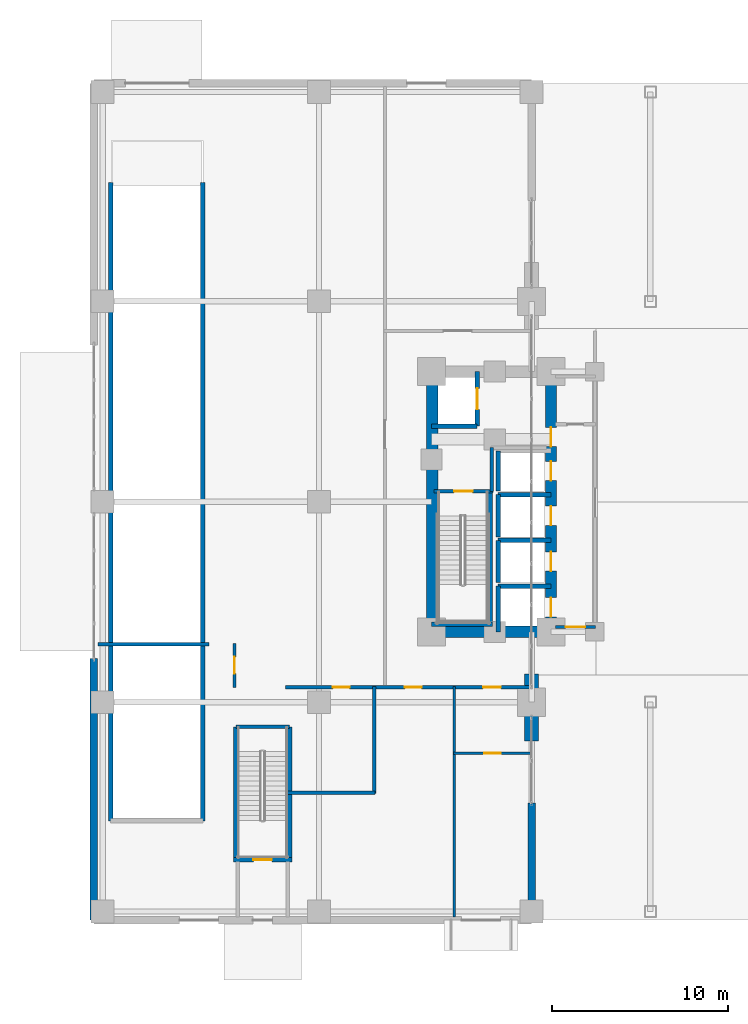
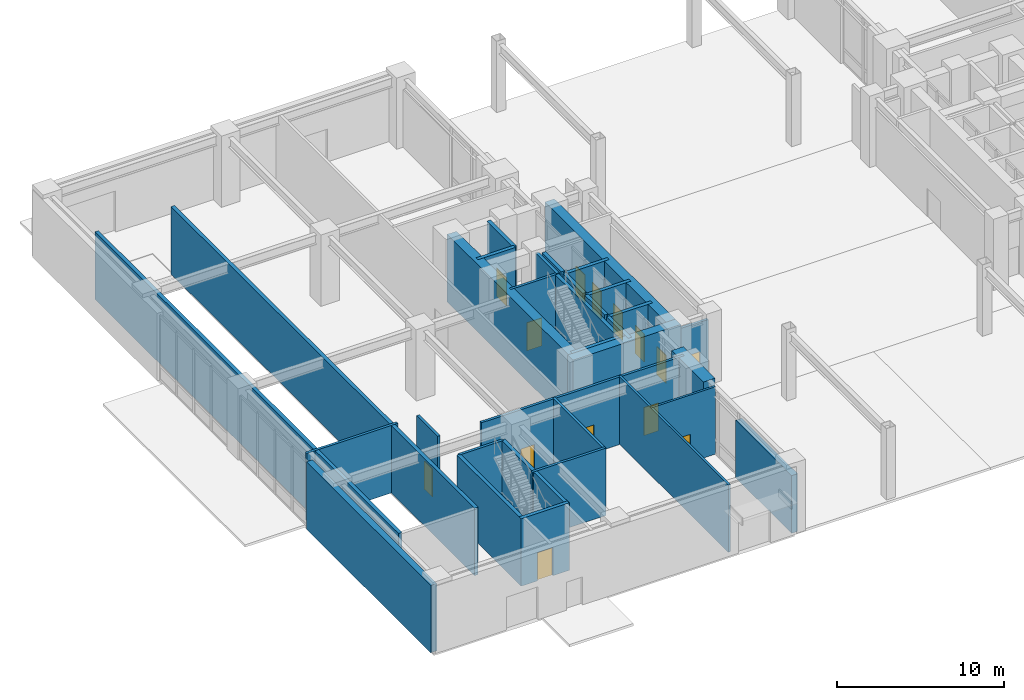
# One storey, part 17 of 23: 33 walls, 14 doors, 14 openings.
"""IFC4 building model written with IfcOpenShell, lengths in metres."""

from ifc_helpers import new_model, si_unit, direction, frame, frame_2d, origin, place, context, subcontext, project, spatial, rectangle, extrude, material, layer, layer_set, type_object, element, fill, save


model = new_model("IFC4")

# Units and contexts
model_context = context("Model", 3, precision=1e-05, world=origin(), true_north=direction((0.0, 1.0)))
body_context = subcontext(model_context, "Body", "Model", "MODEL_VIEW")
ifc_project = project(units=[si_unit("LENGTHUNIT", "METRE"), si_unit("AREAUNIT", "SQUARE_METRE"), si_unit("VOLUMEUNIT", "CUBIC_METRE"), si_unit("PLANEANGLEUNIT", "RADIAN"), si_unit("MASSUNIT", "GRAM", prefix="KILO")], contexts=[model_context])

# Site, building, storey
site_placement = place(None, origin())
site = spatial("IfcSite", under=ifc_project, at=site_placement, CompositionType="ELEMENT")
building_placement = place(site_placement, origin())
building = spatial("IfcBuilding", under=site, at=building_placement, Name="Voryun Gate Residences", CompositionType="ELEMENT")
storey_placement = place(building_placement, origin())
storey = spatial("IfcBuildingStorey", under=building, at=storey_placement, Name="L00", CompositionType="ELEMENT", Elevation=0.0)

# Walls
ifc_material_1 = material(Name="Concrete C60/75", Category="concrete")
ifc_layer_1 = layer(ifc_material_1, 0.64990234375, Name="CW_CORE_650")
ifc_layer_set_1 = layer_set([ifc_layer_1], Name="Concrete C60/75")
wall_type_1 = type_object("IfcWallType", Name="CW_CORE_650", PredefinedType="SHEAR", material=ifc_layer_set_1)
wall_1_placement = place(storey_placement, frame((-19.52490234375, -7.39990234375, 0.0), z_axis=(0.0, 0.0, 1.0), x_axis=(1.0, 0.0, 0.0)))
element("IfcWall", 1, at=wall_1_placement, inside=storey, type_object=wall_type_1, Name="L00 Core shear wall CW-L00-WS", PredefinedType="SHEAR", context=body_context, shape_type="SweptSolid", body=[
    extrude(rectangle(XDim=7.449951171875, YDim=0.64990234375, at=frame_2d((3.72509765625, 0.0))), origin(), (0.0, 0.0, 1.0), 4.919921875),
])
wall_2_placement = place(storey_placement, frame((-19.14501953125, -7.39990234375, 0.0), z_axis=(0.0, 0.0, 1.0), x_axis=(0.0, 1.0, 0.0)))
element("IfcWall", 2, at=wall_2_placement, inside=storey, type_object=wall_type_1, Name="L00 Core shear wall CW-L00-WW", PredefinedType="SHEAR", context=body_context, shape_type="SweptSolid", body=[
    extrude(rectangle(XDim=14.7998046875, YDim=0.64990234375, at=frame_2d((7.39990234375, 0.0))), origin(), (0.0, 0.0, 1.0), 4.919921875),
])

# Wall, openings, doors
wall_3_placement = place(storey_placement, frame((-12.39990234375, -7.39990234375, 0.0), z_axis=(0.0, 0.0, 1.0), x_axis=(0.0, 1.0, 0.0)))
wall_3 = element("IfcWall", 3, at=wall_3_placement, inside=storey, type_object=wall_type_1, Name="L00 Core shear wall CW-L00-WE", PredefinedType="SHEAR", context=body_context, shape_type="SweptSolid", body=[
    extrude(rectangle(XDim=14.7998046875, YDim=0.64990234375, at=frame_2d((7.39990234375, 0.0))), origin(), (0.0, 0.0, 1.0), 4.919921875),
])
opening_1_placement = place(wall_3_placement, frame((0.85009765625, 0.0, 0.0)))
opening_1 = element("IfcOpeningElement", 4, at=opening_1_placement, cuts=wall_3, Name="Opening LD2", PredefinedType="OPENING", context=body_context, shape_type="SweptSolid", body=[
    extrude(rectangle(XDim=1.10009765625, YDim=2.050048828125, at=frame_2d((0.550048828125, 1.02490234375))), frame((0.0, 0.3349609375, 0.0), z_axis=(0.0, -1.0, 0.0), x_axis=(1.0, 0.0, 0.0)), (0.0, 0.0, 1.0), 0.669921875),
])
opening_2_placement = place(wall_3_placement, frame((3.449951171875, 0.0, 0.0)))
opening_2 = element("IfcOpeningElement", 5, at=opening_2_placement, cuts=wall_3, Name="Opening LD2", PredefinedType="OPENING", context=body_context, shape_type="SweptSolid", body=[
    extrude(rectangle(XDim=1.10009765625, YDim=2.050048828125, at=frame_2d((0.550048828125, 1.02490234375))), frame((0.0, 0.3349609375, 0.0), z_axis=(0.0, -1.0, 0.0), x_axis=(1.0, 0.0, 0.0)), (0.0, 0.0, 1.0), 0.669921875),
])
opening_3_placement = place(wall_3_placement, frame((6.050048828125, 0.0, 0.0)))
opening_3 = element("IfcOpeningElement", 6, at=opening_3_placement, cuts=wall_3, Name="Opening LD2", PredefinedType="OPENING", context=body_context, shape_type="SweptSolid", body=[
    extrude(rectangle(XDim=1.10009765625, YDim=2.050048828125, at=frame_2d((0.550048828125, 1.02490234375))), frame((0.0, 0.3349609375, 0.0), z_axis=(0.0, -1.0, 0.0), x_axis=(1.0, 0.0, 0.0)), (0.0, 0.0, 1.0), 0.669921875),
])
opening_4_placement = place(wall_3_placement, frame((8.60009765625, 0.0, 0.0)))
opening_4 = element("IfcOpeningElement", 7, at=opening_4_placement, cuts=wall_3, Name="Opening LD2", PredefinedType="OPENING", context=body_context, shape_type="SweptSolid", body=[
    extrude(rectangle(XDim=1.10009765625, YDim=2.050048828125, at=frame_2d((0.550048828125, 1.02490234375))), frame((0.0, 0.3349609375, 0.0), z_axis=(0.0, -1.0, 0.0), x_axis=(1.0, 0.0, 0.0)), (0.0, 0.0, 1.0), 0.669921875),
])
opening_5_placement = place(wall_3_placement, frame((10.530029296875, 0.0, 0.0)))
opening_5 = element("IfcOpeningElement", 8, at=opening_5_placement, cuts=wall_3, Name="Opening D-FD60-2", PredefinedType="OPENING", context=body_context, shape_type="SweptSolid", body=[
    extrude(rectangle(XDim=1.10009765625, YDim=2.050048828125, at=frame_2d((0.550048828125, 1.02490234375))), frame((0.0, 0.3349609375, 0.0), z_axis=(0.0, -1.0, 0.0), x_axis=(1.0, 0.0, 0.0)), (0.0, 0.0, 1.0), 0.669921875),
])
ifc_material_2 = material(Name="Painted steel fire door", Category="steel")
door_type_1 = type_object("IfcDoorType", Name="DR_FD60_FFLOB_1100", OperationType="NOTDEFINED", PredefinedType="DOOR", material=ifc_material_2)
door_1_placement = place(opening_5_placement, origin())
door_1 = element("IfcDoor", 9, at=door_1_placement, inside=storey, type_object=door_type_1, Name="Door DR-L00-CLOB-W", OperationType="SINGLE_SWING_LEFT", OverallHeight=2.050048828125, OverallWidth=1.10009765625, PredefinedType="DOOR", context=body_context, shape_type="SweptSolid", body=[
    extrude(rectangle(XDim=1.10009765625, YDim=2.050048828125, at=frame_2d((0.550048828125, 1.02490234375))), frame((0.0, 0.02490234375, 0.0), z_axis=(0.0, -1.0, 0.0), x_axis=(1.0, 0.0, 0.0)), (0.0, 0.0, 1.0), 0.050048828125),
])
fill(opening_5, door_1)
ifc_material_3 = material(Name="Anodised aluminium", Category="aluminium")
door_type_2 = type_object("IfcDoorType", Name="DR_LD_PASS_1100", OperationType="NOTDEFINED", PredefinedType="DOOR", material=ifc_material_3)
door_2_placement = place(opening_1_placement, origin())
door_2 = element("IfcDoor", 10, at=door_2_placement, inside=storey, type_object=door_type_2, Name="Lift EL-P1 sliding landing door L00", OperationType="SLIDING_TO_LEFT", OverallHeight=2.050048828125, OverallWidth=1.10009765625, PredefinedType="DOOR", context=body_context, shape_type="SweptSolid", body=[
    extrude(rectangle(XDim=1.10009765625, YDim=2.050048828125, at=frame_2d((0.550048828125, 1.02490234375))), frame((0.0, 0.02490234375, 0.0), z_axis=(0.0, -1.0, 0.0), x_axis=(1.0, 0.0, 0.0)), (0.0, 0.0, 1.0), 0.050048828125),
])
fill(opening_1, door_2)
door_3_placement = place(opening_2_placement, origin())
door_3 = element("IfcDoor", 11, at=door_3_placement, inside=storey, type_object=door_type_2, Name="Lift EL-P2 sliding landing door L00", OperationType="SLIDING_TO_LEFT", OverallHeight=2.050048828125, OverallWidth=1.10009765625, PredefinedType="DOOR", context=body_context, shape_type="SweptSolid", body=[
    extrude(rectangle(XDim=1.10009765625, YDim=2.050048828125, at=frame_2d((0.550048828125, 1.02490234375))), frame((0.0, 0.02490234375, 0.0), z_axis=(0.0, -1.0, 0.0), x_axis=(1.0, 0.0, 0.0)), (0.0, 0.0, 1.0), 0.050048828125),
])
fill(opening_2, door_3)
door_4_placement = place(opening_3_placement, origin())
door_4 = element("IfcDoor", 12, at=door_4_placement, inside=storey, type_object=door_type_2, Name="Lift EL-P4 sliding landing door L00", OperationType="SLIDING_TO_LEFT", OverallHeight=2.050048828125, OverallWidth=1.10009765625, PredefinedType="DOOR", context=body_context, shape_type="SweptSolid", body=[
    extrude(rectangle(XDim=1.10009765625, YDim=2.050048828125, at=frame_2d((0.550048828125, 1.02490234375))), frame((0.0, 0.02490234375, 0.0), z_axis=(0.0, -1.0, 0.0), x_axis=(1.0, 0.0, 0.0)), (0.0, 0.0, 1.0), 0.050048828125),
])
fill(opening_3, door_4)
door_5_placement = place(opening_4_placement, origin())
door_5 = element("IfcDoor", 13, at=door_5_placement, inside=storey, type_object=door_type_2, Name="Lift EL-P7 sliding landing door L00", OperationType="SLIDING_TO_LEFT", OverallHeight=2.050048828125, OverallWidth=1.10009765625, PredefinedType="DOOR", context=body_context, shape_type="SweptSolid", body=[
    extrude(rectangle(XDim=1.10009765625, YDim=2.050048828125, at=frame_2d((0.550048828125, 1.02490234375))), frame((0.0, 0.02490234375, 0.0), z_axis=(0.0, -1.0, 0.0), x_axis=(1.0, 0.0, 0.0)), (0.0, 0.0, 1.0), 0.050048828125),
])
fill(opening_4, door_5)

# Wall
ifc_material_4 = material(Name="Concrete C60/75", Category="concrete")
ifc_layer_2 = layer(ifc_material_4, 0.800048828125, Name="W_ARCH_PIER_800")
ifc_layer_set_2 = layer_set([ifc_layer_2], Name="Concrete C60/75")
wall_type_2 = type_object("IfcWallType", Name="W_ARCH_PIER_800", PredefinedType="SOLIDWALL", material=ifc_layer_set_2)
wall_4_placement = place(storey_placement, frame((-13.5, -13.60009765625, 0.0), z_axis=(0.0, 0.0, 1.0), x_axis=(0.0, 1.0, 0.0)))
element("IfcWall", 14, at=wall_4_placement, inside=storey, type_object=wall_type_2, Name="L00 Parabolic arch pier wall WS", PredefinedType="SOLIDWALL", context=body_context, shape_type="SweptSolid", body=[
    extrude(rectangle(XDim=3.800048828125, YDim=0.800048828125, at=frame_2d((1.89990234375, 0.0))), origin(), (0.0, 0.0, 1.0), 4.919921875),
])

# Wall, opening, door
ifc_material_5 = material(Name="Gypsum acoustic fireboard")
ifc_layer_3 = layer(ifc_material_5, 0.179931640625, Name="W_CORR_RATED_180")
ifc_layer_set_3 = layer_set([ifc_layer_3], Name="Gypsum acoustic fireboard")
wall_type_3 = type_object("IfcWallType", Name="W_CORR_RATED_180", PredefinedType="PARTITIONING", material=ifc_layer_set_3)
wall_5_placement = place(storey_placement, frame((-19.06005859375, 0.60009765625, 0.0), z_axis=(0.0, 0.0, 1.0), x_axis=(1.0, 0.0, 0.0)))
wall_5 = element("IfcWall", 15, at=wall_5_placement, inside=storey, type_object=wall_type_3, Name="Partition wall WP-L00-STV-W", PredefinedType="PARTITIONING", context=body_context, shape_type="SweptSolid", body=[
    extrude(rectangle(XDim=3.360107421875, YDim=0.179931640625, at=frame_2d((1.68017578125, 0.0))), origin(), (0.0, 0.0, 1.0), 4.919921875),
])
opening_6_placement = place(wall_5_placement, frame((1.155029296875, 0.0, 0.0)))
opening_6 = element("IfcOpeningElement", 16, at=opening_6_placement, cuts=wall_5, Name="Opening D-FD60-1", PredefinedType="OPENING", context=body_context, shape_type="SweptSolid", body=[
    extrude(rectangle(XDim=1.050048828125, YDim=2.050048828125, at=frame_2d((0.52490234375, 1.02490234375))), frame((0.0, 0.099853515625, 0.0), z_axis=(0.0, -1.0, 0.0), x_axis=(1.0, 0.0, 0.0)), (0.0, 0.0, 1.0), 0.199951171875),
])
ifc_material_6 = material(Name="Painted steel fire door", Category="steel")
door_type_3 = type_object("IfcDoorType", Name="DR_FD60_STAIR_1050", OperationType="NOTDEFINED", PredefinedType="DOOR", material=ifc_material_6)
door_6_placement = place(opening_6_placement, origin())
door_6 = element("IfcDoor", 17, at=door_6_placement, inside=storey, type_object=door_type_3, Name="Door DR-L00-ST-W", OperationType="SINGLE_SWING_LEFT", OverallHeight=2.050048828125, OverallWidth=1.050048828125, PredefinedType="DOOR", context=body_context, shape_type="SweptSolid", body=[
    extrude(rectangle(XDim=1.050048828125, YDim=2.050048828125, at=frame_2d((0.52490234375, 1.02490234375))), frame((0.0, 0.02490234375, 0.0), z_axis=(0.0, -1.0, 0.0), x_axis=(1.0, 0.0, 0.0)), (0.0, 0.0, 1.0), 0.050048828125),
])
fill(opening_6, door_6)

wall_6_placement = place(storey_placement, frame((-12.14990234375, -7.1201171875, 0.0), z_axis=(0.0, 0.0, 1.0), x_axis=(1.0, 0.0, 0.0)))
wall_6 = element("IfcWall", 18, at=wall_6_placement, inside=storey, type_object=wall_type_3, Name="Partition wall WP-L00-PLBS-W", PredefinedType="PARTITIONING", context=body_context, shape_type="SweptSolid", body=[
    extrude(rectangle(XDim=2.27001953125, YDim=0.179931640625, at=frame_2d((1.135009765625, 0.0))), origin(), (0.0, 0.0, 1.0), 4.2099609375),
])
opening_7_placement = place(wall_6_placement, frame((0.5849609375, 0.0, 0.0)))
opening_7 = element("IfcOpeningElement", 19, at=opening_7_placement, cuts=wall_6, Name="Opening D-FD60-2", PredefinedType="OPENING", context=body_context, shape_type="SweptSolid", body=[
    extrude(rectangle(XDim=1.10009765625, YDim=2.050048828125, at=frame_2d((0.550048828125, 1.02490234375))), frame((0.0, 0.099853515625, 0.0), z_axis=(0.0, -1.0, 0.0), x_axis=(1.0, 0.0, 0.0)), (0.0, 0.0, 1.0), 0.199951171875),
])
door_7_placement = place(opening_7_placement, origin())
door_7 = element("IfcDoor", 20, at=door_7_placement, inside=storey, type_object=door_type_1, Name="Door DR-L00-PLBNW", OperationType="SINGLE_SWING_LEFT", OverallHeight=2.050048828125, OverallWidth=1.10009765625, PredefinedType="DOOR", context=body_context, shape_type="SweptSolid", body=[
    extrude(rectangle(XDim=1.10009765625, YDim=2.050048828125, at=frame_2d((0.550048828125, 1.02490234375))), frame((0.0, 0.02490234375, 0.0), z_axis=(0.0, -1.0, 0.0), x_axis=(1.0, 0.0, 0.0)), (0.0, 0.0, 1.0), 0.050048828125),
])
fill(opening_7, door_7)

# Walls
wall_7_placement = place(storey_placement, frame((-30.320068359375, -12.800048828125, 0.0), z_axis=(0.0, 0.0, 1.0), x_axis=(1.0, 0.0, 0.0)))
element("IfcWall", 21, at=wall_7_placement, inside=storey, type_object=wall_type_3, Name="Partition wall WP-L00-ST-P1-MID", PredefinedType="PARTITIONING", context=body_context, shape_type="SweptSolid", body=[
    extrude(rectangle(XDim=3.0400390625, YDim=0.179931640625, at=frame_2d((1.52001953125, 0.0))), origin(), (0.0, 0.0, 1.0), 4.919921875),
])
wall_8_placement = place(storey_placement, frame((-38.14990234375, -8.10009765625, 0.0), z_axis=(0.0, 0.0, 1.0), x_axis=(1.0, 0.0, 0.0)))
element("IfcWall", 22, at=wall_8_placement, inside=storey, type_object=wall_type_3, Name="Partition wall WP-L00-WSWN", PredefinedType="PARTITIONING", context=body_context, shape_type="SweptSolid", body=[
    extrude(rectangle(XDim=6.2998046875, YDim=0.179931640625, at=frame_2d((3.14990234375, 0.0))), origin(), (0.0, 0.0, 1.0), 4.919921875),
])

# Wall, opening, door
wall_9_placement = place(storey_placement, frame((-30.39990234375, -10.550048828125, 0.0), z_axis=(0.0, 0.0, 1.0), x_axis=(0.0, 1.0, 0.0)))
wall_9 = element("IfcWall", 23, at=wall_9_placement, inside=storey, type_object=wall_type_3, Name="Partition wall WP-L00-WSWE", PredefinedType="PARTITIONING", context=body_context, shape_type="SweptSolid", body=[
    extrude(rectangle(XDim=2.5, YDim=0.179931640625, at=frame_2d((1.25, 0.0))), origin(), (0.0, 0.0, 1.0), 4.919921875),
])
opening_8_placement = place(wall_9_placement, frame((0.77490234375, 0.0, 0.0)))
opening_8 = element("IfcOpeningElement", 24, at=opening_8_placement, cuts=wall_9, Name="Opening D-INT-1", PredefinedType="OPENING", context=body_context, shape_type="SweptSolid", body=[
    extrude(rectangle(XDim=0.949951171875, YDim=2.050048828125, at=frame_2d((0.47509765625, 1.02490234375))), frame((0.0, 0.099853515625, 0.0), z_axis=(0.0, -1.0, 0.0), x_axis=(1.0, 0.0, 0.0)), (0.0, 0.0, 1.0), 0.199951171875),
])
ifc_material_7 = material(Name="Architectural oak veneer")
door_type_4 = type_object("IfcDoorType", Name="DR_INT_ROOM_950", OperationType="NOTDEFINED", PredefinedType="DOOR", material=ifc_material_7)
door_8_placement = place(opening_8_placement, origin())
door_8 = element("IfcDoor", 25, at=door_8_placement, inside=storey, type_object=door_type_4, Name="Door DR-L00-WSWE", OperationType="SINGLE_SWING_LEFT", OverallHeight=2.050048828125, OverallWidth=0.949951171875, PredefinedType="DOOR", context=body_context, shape_type="SweptSolid", body=[
    extrude(rectangle(XDim=0.949951171875, YDim=2.050048828125, at=frame_2d((0.47509765625, 1.02490234375))), frame((0.0, 0.02490234375, 0.0), z_axis=(0.0, -1.0, 0.0), x_axis=(1.0, 0.0, 0.0)), (0.0, 0.0, 1.0), 0.050048828125),
])
fill(opening_8, door_8)

# Walls
wall_10_placement = place(storey_placement, frame((-22.449951171875, -16.60009765625, 0.0), z_axis=(0.0, 0.0, 1.0), x_axis=(0.0, 1.0, 0.0)))
element("IfcWall", 26, at=wall_10_placement, inside=storey, type_object=wall_type_3, Name="Partition wall WP-L00-FCCE", PredefinedType="PARTITIONING", context=body_context, shape_type="SweptSolid", body=[
    extrude(rectangle(XDim=6.10009765625, YDim=0.179931640625, at=frame_2d((3.050048828125, 0.0))), origin(), (0.0, 0.0, 1.0), 4.919921875),
])
wall_11_placement = place(storey_placement, frame((-27.449951171875, -16.550048828125, 0.0), z_axis=(0.0, 0.0, 1.0), x_axis=(1.0, 0.0, 0.0)))
element("IfcWall", 27, at=wall_11_placement, inside=storey, type_object=wall_type_3, Name="Partition wall WP-L00-FCCS", PredefinedType="PARTITIONING", context=body_context, shape_type="SweptSolid", body=[
    extrude(rectangle(XDim=5.050048828125, YDim=0.179931640625, at=frame_2d((2.52490234375, 0.0))), origin(), (0.0, 0.0, 1.0), 4.919921875),
])

# Wall, openings, doors
wall_12_placement = place(storey_placement, frame((-27.5, -10.550048828125, 0.0), z_axis=(0.0, 0.0, 1.0), x_axis=(1.0, 0.0, 0.0)))
wall_12 = element("IfcWall", 28, at=wall_12_placement, inside=storey, type_object=wall_type_3, Name="Partition wall WP-L00-WCS2", PredefinedType="PARTITIONING", context=body_context, shape_type="SweptSolid", body=[
    extrude(rectangle(XDim=13.97998046875, YDim=0.179931640625, at=frame_2d((6.989990234375, 0.0))), origin(), (0.0, 0.0, 1.0), 4.919921875),
])
opening_9_placement = place(wall_12_placement, frame((2.701416015625, 0.0, 0.0)))
opening_9 = element("IfcOpeningElement", 29, at=opening_9_placement, cuts=wall_12, Name="Opening D-INT-1", PredefinedType="OPENING", context=body_context, shape_type="SweptSolid", body=[
    extrude(rectangle(XDim=0.949951171875, YDim=2.050048828125, at=frame_2d((0.47509765625, 1.02490234375))), frame((0.0, 0.099853515625, 0.0), z_axis=(0.0, -1.0, 0.0), x_axis=(1.0, 0.0, 0.0)), (0.0, 0.0, 1.0), 0.199951171875),
])
opening_10_placement = place(wall_12_placement, frame((6.794677734375, 0.0, 0.0)))
opening_10 = element("IfcOpeningElement", 30, at=opening_10_placement, cuts=wall_12, Name="Opening D-INT-1", PredefinedType="OPENING", context=body_context, shape_type="SweptSolid", body=[
    extrude(rectangle(XDim=0.949951171875, YDim=2.050048828125, at=frame_2d((0.47509765625, 1.02490234375))), frame((0.0, 0.099853515625, 0.0), z_axis=(0.0, -1.0, 0.0), x_axis=(1.0, 0.0, 0.0)), (0.0, 0.0, 1.0), 0.199951171875),
])
opening_11_placement = place(wall_12_placement, frame((11.2431640625, 0.0, 0.0)))
opening_11 = element("IfcOpeningElement", 31, at=opening_11_placement, cuts=wall_12, Name="Opening D-AWC-1", PredefinedType="OPENING", context=body_context, shape_type="SweptSolid", body=[
    extrude(rectangle(XDim=1.0, YDim=2.050048828125, at=frame_2d((0.5, 1.02490234375))), frame((0.0, 0.099853515625, 0.0), z_axis=(0.0, -1.0, 0.0), x_axis=(1.0, 0.0, 0.0)), (0.0, 0.0, 1.0), 0.199951171875),
])
ifc_material_8 = material(Name="Architectural oak veneer")
door_type_5 = type_object("IfcDoorType", Name="DR_ACC_WC_1000", OperationType="NOTDEFINED", PredefinedType="DOOR", material=ifc_material_8)
door_9_placement = place(opening_11_placement, origin())
door_9 = element("IfcDoor", 32, at=door_9_placement, inside=storey, type_object=door_type_5, Name="Door DR-L00-WDWC", OperationType="SINGLE_SWING_RIGHT", OverallHeight=2.050048828125, OverallWidth=1.0, PredefinedType="DOOR", context=body_context, shape_type="SweptSolid", body=[
    extrude(rectangle(XDim=1.0, YDim=2.050048828125, at=frame_2d((0.5, 1.02490234375))), frame((0.0, 0.02490234375, 0.0), z_axis=(0.0, -1.0, 0.0), x_axis=(1.0, 0.0, 0.0)), (0.0, 0.0, 1.0), 0.050048828125),
])
fill(opening_11, door_9)
door_10_placement = place(opening_9_placement, origin())
door_10 = element("IfcDoor", 33, at=door_10_placement, inside=storey, type_object=door_type_4, Name="Door DR-L00-FCC", OperationType="SINGLE_SWING_LEFT", OverallHeight=2.050048828125, OverallWidth=0.949951171875, PredefinedType="DOOR", context=body_context, shape_type="SweptSolid", body=[
    extrude(rectangle(XDim=0.949951171875, YDim=2.050048828125, at=frame_2d((0.47509765625, 1.02490234375))), frame((0.0, 0.02490234375, 0.0), z_axis=(0.0, -1.0, 0.0), x_axis=(1.0, 0.0, 0.0)), (0.0, 0.0, 1.0), 0.050048828125),
])
fill(opening_9, door_10)
door_11_placement = place(opening_10_placement, origin())
door_11 = element("IfcDoor", 34, at=door_11_placement, inside=storey, type_object=door_type_4, Name="Door DR-L00-WD2B", OperationType="SINGLE_SWING_LEFT", OverallHeight=2.050048828125, OverallWidth=0.949951171875, PredefinedType="DOOR", context=body_context, shape_type="SweptSolid", body=[
    extrude(rectangle(XDim=0.949951171875, YDim=2.050048828125, at=frame_2d((0.47509765625, 1.02490234375))), frame((0.0, 0.02490234375, 0.0), z_axis=(0.0, -1.0, 0.0), x_axis=(1.0, 0.0, 0.0)), (0.0, 0.0, 1.0), 0.050048828125),
])
fill(opening_10, door_11)

# Walls
ifc_material_9 = material(Name="Granite masonry", Category="masonry")
ifc_layer_4 = layer(ifc_material_9, 0.419921875, Name="W_EXT_PODIUM_420")
ifc_layer_set_4 = layer_set([ifc_layer_4], Name="Granite masonry")
wall_type_4 = type_object("IfcWallType", Name="W_EXT_PODIUM_420", PredefinedType="ELEMENTEDWALL", material=ifc_layer_set_4)
wall_13_placement = place(storey_placement, frame((-13.5, -23.800048828125, 0.0), z_axis=(0.0, 0.0, 1.0), x_axis=(0.0, 1.0, 0.0)))
element("IfcWall", 35, at=wall_13_placement, inside=storey, type_object=wall_type_4, Name="Exterior wall WEP-L00-WP-2A", PredefinedType="ELEMENTEDWALL", context=body_context, shape_type="SweptSolid", body=[
    extrude(rectangle(XDim=6.679931640625, YDim=0.419921875, at=frame_2d((3.33984375, 0.0))), origin(), (0.0, 0.0, 1.0), 4.2099609375),
])
wall_14_placement = place(storey_placement, frame((-38.39990234375, -8.919921875, 0.0), z_axis=(0.0, 0.0, 1.0), x_axis=(0.0, -1.0, 0.0)))
element("IfcWall", 36, at=wall_14_placement, inside=storey, type_object=wall_type_4, Name="Exterior wall WEP-L00-WP-4B", PredefinedType="ELEMENTEDWALL", context=body_context, shape_type="SweptSolid", body=[
    extrude(rectangle(XDim=14.880126953125, YDim=0.419921875, at=frame_2d((7.43994140625, 0.0))), origin(), (0.0, 0.0, 1.0), 4.919921875),
])
ifc_material_10 = material(Name="Concrete C40/50", Category="concrete")
ifc_layer_5 = layer(ifc_material_10, 0.199951171875, Name="W_FF_LOBBY_200")
ifc_layer_set_5 = layer_set([ifc_layer_5], Name="Concrete C40/50")
wall_type_5 = type_object("IfcWallType", Name="W_FF_LOBBY_200", PredefinedType="PARTITIONING", material=ifc_layer_set_5)
wall_15_placement = place(storey_placement, frame((-15.760009765625, 0.580078125, 0.0), z_axis=(0.0, 0.0, 1.0), x_axis=(0.0, 1.0, 0.0)))
element("IfcWall", 37, at=wall_15_placement, inside=storey, type_object=wall_type_5, Name="Partition wall WP-L00-FFP0-W", PredefinedType="PARTITIONING", context=body_context, shape_type="SweptSolid", body=[
    extrude(rectangle(XDim=2.52001953125, YDim=0.199951171875, at=frame_2d((1.260009765625, 0.0))), origin(), (0.0, 0.0, 1.0), 4.919921875),
])
ifc_material_11 = material(Name="Concrete C50/60", Category="concrete")
ifc_layer_6 = layer(ifc_material_11, 0.25, Name="W_SHAFT_RC250")
ifc_layer_set_6 = layer_set([ifc_layer_6], Name="Concrete C50/60")
wall_type_6 = type_object("IfcWallType", Name="W_SHAFT_RC250", PredefinedType="SOLIDWALL", material=ifc_layer_set_6)
wall_16_placement = place(storey_placement, frame((-15.860107421875, -7.0849609375, 0.0), z_axis=(0.0, 0.0, 1.0), x_axis=(0.0, 1.0, 0.0)))
element("IfcWall", 38, at=wall_16_placement, inside=storey, type_object=wall_type_6, Name="L00 Stair shaft structural wall W-STR", PredefinedType="SOLIDWALL", context=body_context, shape_type="SweptSolid", body=[
    extrude(rectangle(XDim=7.68505859375, YDim=0.25, at=frame_2d((3.842529296875, 0.0))), origin(), (0.0, 0.0, 1.0), 4.919921875),
])
wall_17_placement = place(storey_placement, frame((-19.199951171875, -6.965087890625, 0.0), z_axis=(0.0, 0.0, 1.0), x_axis=(1.0, 0.0, 0.0)))
element("IfcWall", 39, at=wall_17_placement, inside=storey, type_object=wall_type_6, Name="L00 Stair shaft structural wall W-STS", PredefinedType="SOLIDWALL", context=body_context, shape_type="SweptSolid", body=[
    extrude(rectangle(XDim=3.4599609375, YDim=0.25, at=frame_2d((1.72998046875, 0.0))), origin(), (0.0, 0.0, 1.0), 4.919921875),
])
for number, where, z_axis, x_axis, name in (
    (40, (-30.340087890625, -20.485107421875, 0.0), (0.0, 0.0, 1.0), (0.0, 1.0, 0.0), "L00 Podium stair structural wall STP1-W"),
    (41, (-27.260009765625, -20.485107421875, 0.0), (0.0, 0.0, 1.0), (0.0, 1.0, 0.0), "L00 Podium stair structural wall STP1-E"),
):
    element("IfcWall", number, at=place(storey_placement, frame(where, z_axis=z_axis, x_axis=x_axis)), inside=storey, type_object=wall_type_6, Name=name, PredefinedType="SOLIDWALL", context=body_context, shape_type="SweptSolid", body=[
        extrude(rectangle(XDim=7.68505859375, YDim=0.25, at=frame_2d((3.842529296875, 0.0))), origin(), (0.0, 0.0, 1.0), 4.919921875),
    ])

# Wall, opening, door
wall_18_placement = place(storey_placement, frame((-30.4599609375, -20.364990234375, 0.0), z_axis=(0.0, 0.0, 1.0), x_axis=(1.0, 0.0, 0.0)))
wall_18 = element("IfcWall", 42, at=wall_18_placement, inside=storey, type_object=wall_type_6, Name="L00 Podium stair structural wall STP1-S", PredefinedType="SOLIDWALL", context=body_context, shape_type="SweptSolid", body=[
    extrude(rectangle(XDim=3.320068359375, YDim=0.25, at=frame_2d((1.66015625, 0.0))), origin(), (0.0, 0.0, 1.0), 4.919921875),
])
opening_12_placement = place(wall_18_placement, frame((1.135009765625, 0.0, 0.0)))
opening_12 = element("IfcOpeningElement", 43, at=opening_12_placement, cuts=wall_18, Name="Opening D-FD60-1", PredefinedType="OPENING", context=body_context, shape_type="SweptSolid", body=[
    extrude(rectangle(XDim=1.050048828125, YDim=2.050048828125, at=frame_2d((0.52490234375, 1.02490234375))), frame((0.0, 0.135009765625, 0.0), z_axis=(0.0, -1.0, 0.0), x_axis=(1.0, 0.0, 0.0)), (0.0, 0.0, 1.0), 0.27001953125),
])
door_12_placement = place(opening_12_placement, origin())
door_12 = element("IfcDoor", 44, at=door_12_placement, inside=storey, type_object=door_type_3, Name="Door DR-L00-ST-P1-SDIS", OperationType="SINGLE_SWING_LEFT", OverallHeight=2.050048828125, OverallWidth=1.050048828125, PredefinedType="DOOR", context=body_context, shape_type="SweptSolid", body=[
    extrude(rectangle(XDim=1.050048828125, YDim=2.050048828125, at=frame_2d((0.52490234375, 1.02490234375))), frame((0.0, 0.02490234375, 0.0), z_axis=(0.0, -1.0, 0.0), x_axis=(1.0, 0.0, 0.0)), (0.0, 0.0, 1.0), 0.050048828125),
])
fill(opening_12, door_12)

# Wall
wall_19_placement = place(storey_placement, frame((-19.199951171875, 4.300048828125, 0.0), z_axis=(0.0, 0.0, 1.0), x_axis=(1.0, 0.0, 0.0)))
element("IfcWall", 45, at=wall_19_placement, inside=storey, type_object=wall_type_6, Name="Lift shaft wall WSH-L00-EL-FF-W1-S", PredefinedType="SOLIDWALL", context=body_context, shape_type="SweptSolid", body=[
    extrude(rectangle(XDim=2.599853515625, YDim=0.25, at=frame_2d((1.2998046875, 0.0))), origin(), (0.0, 0.0, 1.0), 4.919921875),
])

# Wall, opening, door
wall_20_placement = place(storey_placement, frame((-16.60009765625, 4.300048828125, 0.0), z_axis=(0.0, 0.0, 1.0), x_axis=(0.0, 1.0, 0.0)))
wall_20 = element("IfcWall", 46, at=wall_20_placement, inside=storey, type_object=wall_type_6, Name="Lift shaft wall WSH-L00-EL-FF-W1-E", PredefinedType="SOLIDWALL", context=body_context, shape_type="SweptSolid", body=[
    extrude(rectangle(XDim=3.099853515625, YDim=0.25, at=frame_2d((1.5498046875, 0.0))), origin(), (0.0, 0.0, 1.0), 4.919921875),
])
opening_13_placement = place(wall_20_placement, frame((0.949951171875, 0.0, 0.0)))
opening_13 = element("IfcOpeningElement", 47, at=opening_13_placement, cuts=wall_20, Name="Opening LD1", PredefinedType="OPENING", context=body_context, shape_type="SweptSolid", body=[
    extrude(rectangle(XDim=1.199951171875, YDim=2.050048828125, at=frame_2d((0.60009765625, 1.02490234375))), frame((0.0, 0.135009765625, 0.0), z_axis=(0.0, -1.0, 0.0), x_axis=(1.0, 0.0, 0.0)), (0.0, 0.0, 1.0), 0.27001953125),
])
ifc_material_12 = material(Name="Anodised aluminium", Category="aluminium")
door_type_6 = type_object("IfcDoorType", Name="DR_LD_FF_1200", OperationType="NOTDEFINED", PredefinedType="DOOR", material=ifc_material_12)
door_13_placement = place(opening_13_placement, origin())
door_13 = element("IfcDoor", 48, at=door_13_placement, inside=storey, type_object=door_type_6, Name="Lift EL-FF-W1 sliding landing door L00", OperationType="SLIDING_TO_LEFT", OverallHeight=2.050048828125, OverallWidth=1.199951171875, PredefinedType="DOOR", context=body_context, shape_type="SweptSolid", body=[
    extrude(rectangle(XDim=1.199951171875, YDim=2.050048828125, at=frame_2d((0.60009765625, 1.02490234375))), frame((0.0, 0.02490234375, 0.0), z_axis=(0.0, -1.0, 0.0), x_axis=(1.0, 0.0, 0.0)), (0.0, 0.0, 1.0), 0.050048828125),
])
fill(opening_13, door_13)

# Walls
wall_21_placement = place(storey_placement, frame((-12.39990234375, -4.800048828125, 0.0), z_axis=(0.0, 0.0, 1.0), x_axis=(-1.0, 0.0, 0.0)))
element("IfcWall", 49, at=wall_21_placement, inside=storey, type_object=wall_type_6, Name="Lift shaft wall WSH-L00-EL-P1-N", PredefinedType="SOLIDWALL", context=body_context, shape_type="SweptSolid", body=[
    extrude(rectangle(XDim=3.0, YDim=0.25, at=frame_2d((1.5, 0.0))), origin(), (0.0, 0.0, 1.0), 4.919921875),
])
wall_22_placement = place(storey_placement, frame((-15.39990234375, -4.800048828125, 0.0), z_axis=(0.0, 0.0, 1.0), x_axis=(0.0, -1.0, 0.0)))
element("IfcWall", 50, at=wall_22_placement, inside=storey, type_object=wall_type_6, Name="Lift shaft wall WSH-L00-EL-P1-W", PredefinedType="SOLIDWALL", context=body_context, shape_type="SweptSolid", body=[
    extrude(rectangle(XDim=2.599853515625, YDim=0.25, at=frame_2d((1.2998046875, 0.0))), origin(), (0.0, 0.0, 1.0), 4.919921875),
])
wall_23_placement = place(storey_placement, frame((-12.39990234375, -2.199951171875, 0.0), z_axis=(0.0, 0.0, 1.0), x_axis=(-1.0, 0.0, 0.0)))
element("IfcWall", 51, at=wall_23_placement, inside=storey, type_object=wall_type_6, Name="Lift shaft wall WSH-L00-EL-P2-N", PredefinedType="SOLIDWALL", context=body_context, shape_type="SweptSolid", body=[
    extrude(rectangle(XDim=3.0, YDim=0.25, at=frame_2d((1.5, 0.0))), origin(), (0.0, 0.0, 1.0), 4.919921875),
])
wall_24_placement = place(storey_placement, frame((-15.39990234375, -2.199951171875, 0.0), z_axis=(0.0, 0.0, 1.0), x_axis=(0.0, -1.0, 0.0)))
element("IfcWall", 52, at=wall_24_placement, inside=storey, type_object=wall_type_6, Name="Lift shaft wall WSH-L00-EL-P2-W", PredefinedType="SOLIDWALL", context=body_context, shape_type="SweptSolid", body=[
    extrude(rectangle(XDim=2.400146484375, YDim=0.25, at=frame_2d((1.2001953125, 0.0))), origin(), (0.0, 0.0, 1.0), 4.919921875),
])
wall_25_placement = place(storey_placement, frame((-12.39990234375, 0.39990234375, 0.0), z_axis=(0.0, 0.0, 1.0), x_axis=(-1.0, 0.0, 0.0)))
element("IfcWall", 53, at=wall_25_placement, inside=storey, type_object=wall_type_6, Name="Lift shaft wall WSH-L00-EL-P4-N", PredefinedType="SOLIDWALL", context=body_context, shape_type="SweptSolid", body=[
    extrude(rectangle(XDim=3.0, YDim=0.25, at=frame_2d((1.5, 0.0))), origin(), (0.0, 0.0, 1.0), 4.919921875),
])
wall_26_placement = place(storey_placement, frame((-15.39990234375, 0.39990234375, 0.0), z_axis=(0.0, 0.0, 1.0), x_axis=(0.0, -1.0, 0.0)))
element("IfcWall", 54, at=wall_26_placement, inside=storey, type_object=wall_type_6, Name="Lift shaft wall WSH-L00-EL-P4-W", PredefinedType="SOLIDWALL", context=body_context, shape_type="SweptSolid", body=[
    extrude(rectangle(XDim=2.39990234375, YDim=0.25, at=frame_2d((1.199951171875, 0.0))), origin(), (0.0, 0.0, 1.0), 4.919921875),
])
wall_27_placement = place(storey_placement, frame((-15.39990234375, 2.89990234375, 0.0), z_axis=(0.0, 0.0, 1.0), x_axis=(0.0, -1.0, 0.0)))
element("IfcWall", 55, at=wall_27_placement, inside=storey, type_object=wall_type_6, Name="Lift shaft wall WSH-L00-EL-P7-W", PredefinedType="SOLIDWALL", context=body_context, shape_type="SweptSolid", body=[
    extrude(rectangle(XDim=2.2998046875, YDim=0.25, at=frame_2d((1.14990234375, 0.0))), origin(), (0.0, 0.0, 1.0), 4.919921875),
])
for number, where, z_axis, x_axis, name in (
    (56, (-37.449951171875, -18.14990234375, 0.0), (0.0, 0.0, 1.0), (0.0, 1.0, 0.0), "Partition wall WP-L00-RMP-W"),
    (57, (-32.199951171875, -18.14990234375, 0.0), (0.0, 0.0, 1.0), (0.0, 1.0, 0.0), "Partition wall WP-L00-RMP-E"),
):
    element("IfcWall", number, at=place(storey_placement, frame(where, z_axis=z_axis, x_axis=x_axis)), inside=storey, type_object=wall_type_6, Name=name, PredefinedType="SOLIDWALL", context=body_context, shape_type="SweptSolid", body=[
        extrude(rectangle(XDim=36.2998046875, YDim=0.25, at=frame_2d((18.14990234375, 0.0))), origin(), (0.0, 0.0, 1.0), 4.919921875),
    ])
ifc_material_13 = material(Name="Gypsum moisture-resistant partition")
ifc_layer_7 = layer(ifc_material_13, 0.14990234375, Name="W_WET_PLUMB_150")
ifc_layer_set_7 = layer_set([ifc_layer_7], Name="Gypsum moisture-resistant partition")
wall_type_7 = type_object("IfcWallType", Name="W_WET_PLUMB_150", PredefinedType="PLUMBINGWALL", material=ifc_layer_set_7)
wall_28_placement = place(storey_placement, frame((-17.89990234375, -23.6201171875, 0.0), z_axis=(0.0, 0.0, 1.0), x_axis=(0.0, 1.0, 0.0)))
element("IfcWall", 58, at=wall_28_placement, inside=storey, type_object=wall_type_7, Name="Partition wall WP-L00-WWCD1", PredefinedType="PLUMBINGWALL", context=body_context, shape_type="SweptSolid", body=[
    extrude(rectangle(XDim=13.1201171875, YDim=0.14990234375, at=frame_2d((6.56005859375, 0.0))), origin(), (0.0, 0.0, 1.0), 4.919921875),
])

# Wall, opening, door
wall_29_placement = place(storey_placement, frame((-17.949951171875, -14.300048828125, 0.0), z_axis=(0.0, 0.0, 1.0), x_axis=(1.0, 0.0, 0.0)))
wall_29 = element("IfcWall", 59, at=wall_29_placement, inside=storey, type_object=wall_type_7, Name="Partition wall WP-L00-WWCD2", PredefinedType="PLUMBINGWALL", context=body_context, shape_type="SweptSolid", body=[
    extrude(rectangle(XDim=4.429931640625, YDim=0.14990234375, at=frame_2d((2.21484375, 0.0))), origin(), (0.0, 0.0, 1.0), 4.919921875),
])
opening_14_placement = place(wall_29_placement, frame((1.739990234375, 0.0, 0.0)))
opening_14 = element("IfcOpeningElement", 60, at=opening_14_placement, cuts=wall_29, Name="Opening D-INT-1", PredefinedType="OPENING", context=body_context, shape_type="SweptSolid", body=[
    extrude(rectangle(XDim=0.949951171875, YDim=2.050048828125, at=frame_2d((0.47509765625, 1.02490234375))), frame((0.0, 0.0849609375, 0.0), z_axis=(0.0, -1.0, 0.0), x_axis=(1.0, 0.0, 0.0)), (0.0, 0.0, 1.0), 0.169921875),
])
door_14_placement = place(opening_14_placement, origin())
door_14 = element("IfcDoor", 61, at=door_14_placement, inside=storey, type_object=door_type_4, Name="Door DR-L00-WSTR", OperationType="SINGLE_SWING_LEFT", OverallHeight=2.050048828125, OverallWidth=0.949951171875, PredefinedType="DOOR", context=body_context, shape_type="SweptSolid", body=[
    extrude(rectangle(XDim=0.949951171875, YDim=2.050048828125, at=frame_2d((0.47509765625, 1.02490234375))), frame((0.0, 0.02490234375, 0.0), z_axis=(0.0, -1.0, 0.0), x_axis=(1.0, 0.0, 0.0)), (0.0, 0.0, 1.0), 0.050048828125),
])
fill(opening_14, door_14)

save(model, "model.ifc")
